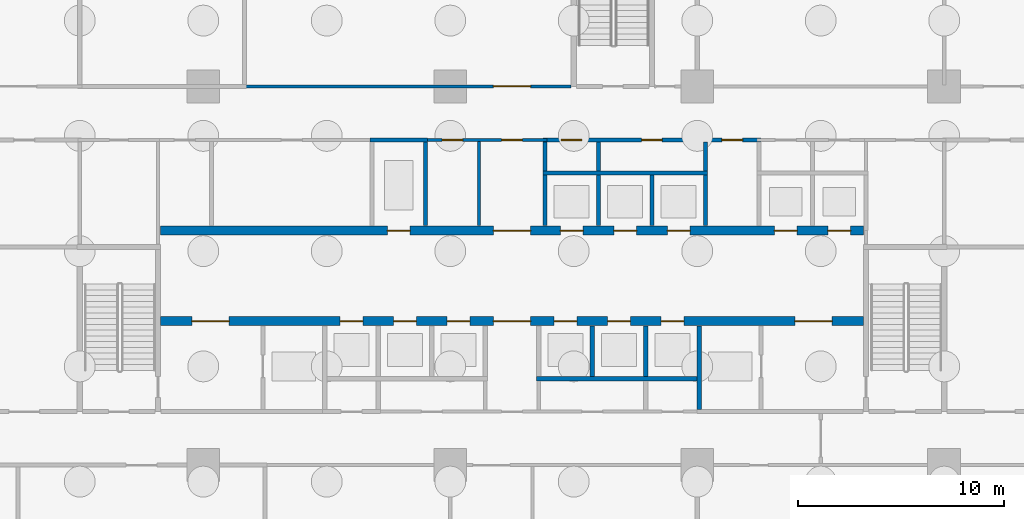
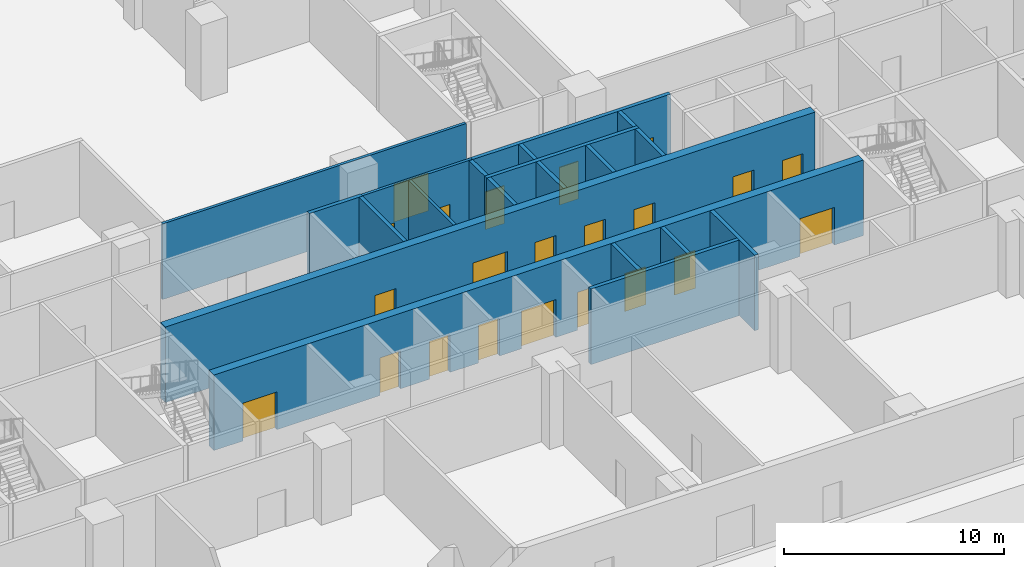
# One storey, part 16 of 27: 22 doors, 20 walls, 22 openings.
"""IFC4 building model written with IfcOpenShell, lengths in metres."""

import ifcopenshell
import ifcopenshell.guid

model = None  # the IFC model being written
_history = None  # IfcOwnerHistory: only IFC2X3 demands one
_inside = {}  # id of a spatial element -> (the spatial element, [elements in it])
_under = {}  # id of a project, library or spatial element -> (it, [spatial elements below it])
_declared = {}  # id of a project -> (the project, [libraries it declares])
_typed = {}  # id of a type object -> (the type object, [elements of that type])
_made_of = {}  # id of a material, layer set ... -> (it, [elements and type objects made of it])


def new_model(schema):
    """Start an empty IFC model of exactly this schema.

    Asked for "IFC4X3", IfcOpenShell would pick the latest addendum, in which some entities
    have other attributes; the version numbers below select the first issue.
    IFC2X3 requires an IfcOwnerHistory on every rooted entity: one is made here for all.
    """
    global model, _history
    if schema == "IFC4X3":
        model = ifcopenshell.file(schema_version=(4, 3, 0, 0))
    else:
        model = ifcopenshell.file(schema=schema)
    _inside.clear()
    _under.clear()
    _declared.clear()
    _typed.clear()
    _made_of.clear()
    _history = None
    if model.schema == "IFC2X3":
        org = make("IfcOrganization", Name="unknown")
        user = make(
            "IfcPersonAndOrganization",
            ThePerson=make("IfcPerson", FamilyName="unknown"),
            TheOrganization=org,
        )
        app = make(
            "IfcApplication",
            ApplicationDeveloper=org,
            Version="unknown",
            ApplicationFullName="unknown",
            ApplicationIdentifier="unknown",
        )
        _history = make(
            "IfcOwnerHistory",
            OwningUser=user,
            OwningApplication=app,
            ChangeAction="ADDED",
            CreationDate=0,
        )
    return model


def make(cls, **values):
    """One entity of the class cls with the attributes given. An attribute that is None is left unset."""
    return model.create_entity(
        cls, **{name: value for name, value in values.items() if value is not None}
    )


def rooted(cls, **values):
    """An entity with a GlobalId (a new one), such as an element, a storey or a relation."""
    return make(cls, GlobalId=ifcopenshell.guid.new(), OwnerHistory=_history, **values)


def si_unit(unit_type, name, prefix=None):
    """IfcSIUnit, for example si_unit("LENGTHUNIT", "METRE", prefix="MILLI")."""
    return make("IfcSIUnit", UnitType=unit_type, Prefix=prefix, Name=name)


def assignment(units):
    """IfcUnitAssignment: the units of a project."""
    return None if units is None else make("IfcUnitAssignment", Units=units)


def point(xyz):
    """IfcCartesianPoint."""
    return None if xyz is None else make("IfcCartesianPoint", Coordinates=xyz)


def direction(xyz):
    """IfcDirection."""
    return None if xyz is None else make("IfcDirection", DirectionRatios=xyz)


def frame(location, z_axis=None, x_axis=None):
    """IfcAxis2Placement3D, a coordinate frame: its origin and axes. An axis left out is left unset."""
    return make(
        "IfcAxis2Placement3D",
        Location=point(location),
        Axis=direction(z_axis),
        RefDirection=direction(x_axis),
    )


def frame_2d(location, x_axis=None):
    """IfcAxis2Placement2D, a coordinate frame in the plane: its origin and x axis."""
    return make(
        "IfcAxis2Placement2D", Location=point(location), RefDirection=direction(x_axis)
    )


def origin():
    """The frame at (0, 0, 0) with its axes left unset."""
    return frame((0.0, 0.0, 0.0))


def place(relative_to, where):
    """IfcLocalPlacement: puts the frame where relative to a parent placement (None: the world)."""
    return make(
        "IfcLocalPlacement", PlacementRelTo=relative_to, RelativePlacement=where
    )


def context(
    kind, dimensions, precision=None, world=None, true_north=None, identifier=None
):
    """IfcGeometricRepresentationContext, for example the 3D "Model" context."""
    return make(
        "IfcGeometricRepresentationContext",
        ContextIdentifier=identifier,
        ContextType=kind,
        CoordinateSpaceDimension=dimensions,
        Precision=precision,
        WorldCoordinateSystem=world,
        TrueNorth=true_north,
    )


def subcontext(parent, identifier, kind, view, scale=None):
    """IfcGeometricRepresentationSubContext, for example "Body" below "Model"."""
    return make(
        "IfcGeometricRepresentationSubContext",
        ContextIdentifier=identifier,
        ContextType=kind,
        ParentContext=parent,
        TargetScale=scale,
        TargetView=view,
    )


def project(units=None, contexts=None):
    """IfcProject with its units and contexts."""
    return rooted(
        "IfcProject",
        Name="project",
        RepresentationContexts=contexts,
        UnitsInContext=assignment(units),
    )


def spatial(cls, under=None, at=None, **own):
    """A site, building, storey or space (cls), placed at a placement, below another one or the project."""
    s = rooted(cls, ObjectPlacement=at, **own)
    if under is not None:
        _under.setdefault(under.id(), (under, []))[1].append(s)
    return s


def profile(cls, at=None, kind="AREA", **sizes):
    """A parametric profile (cls). Its sizes go by their IFC names, for example OverallWidth=200.0."""
    return make(cls, ProfileType=kind, Position=at, **sizes)


def rectangle(**sizes):
    """IfcRectangleProfileDef."""
    return profile("IfcRectangleProfileDef", **sizes)


def extrude(swept, where, along, depth):
    """IfcExtrudedAreaSolid: the profile swept, set in the frame where, extruded along a direction by depth."""
    return make(
        "IfcExtrudedAreaSolid",
        SweptArea=swept,
        Position=where,
        ExtrudedDirection=direction(along),
        Depth=depth,
    )


def shape(context_of_items, identifier, shape_type, items):
    """IfcShapeRepresentation: the items that make up one representation, for example the "Body"."""
    return make(
        "IfcShapeRepresentation",
        ContextOfItems=context_of_items,
        RepresentationIdentifier=identifier,
        RepresentationType=shape_type,
        Items=items,
    )


def material(Name=None, Category=None):
    """IfcMaterial."""
    return make("IfcMaterial", Name=Name, Category=Category)


def layer(
    of_material, thickness, ventilated=None, Name=None, Category=None, Priority=None
):
    """IfcMaterialLayer: one layer of a wall or slab, of a material (None: an air gap)."""
    return make(
        "IfcMaterialLayer",
        Material=of_material,
        LayerThickness=thickness,
        IsVentilated=ventilated,
        Name=Name,
        Category=Category,
        Priority=Priority,
    )


def layer_set(layers, Name=None):
    """IfcMaterialLayerSet."""
    return make("IfcMaterialLayerSet", MaterialLayers=layers, LayerSetName=Name)


def made_of(thing, what):
    """Note that an element or type object is made of a material, layer set ...; save() writes the relation."""
    if what is not None:
        _made_of.setdefault(what.id(), (what, []))[1].append(thing)
    return thing


def type_object(cls, material=None, **own):
    """A type object (cls), such as IfcWallType, which elements share."""
    return made_of(rooted(cls, **own), material)


def element(
    cls,
    number,
    at=None,
    inside=None,
    cuts=None,
    type_object=None,
    material=None,
    context=None,
    identifier="Body",
    shape_type=None,
    held_by="IfcProductDefinitionShape",
    body=None,
    shapes=None,
    **own,
):
    """One element of the class cls, such as IfcWall. Its Tag is "e" and its number.

    at: its placement. inside: the storey or other place that contains it. cuts: it is an
    opening in that element (IfcRelVoidsElement). A single representation is given by context,
    identifier, shape_type and body (its items); several are given by shapes. held_by: the class
    of the entity that holds the representations. save() writes the other relations.
    """
    e = rooted(cls, Tag="e%d" % number, ObjectPlacement=at, **own)
    if body is not None:
        shapes = [shape(context, identifier, shape_type, body)]
    if shapes is not None:
        e.Representation = make(held_by, Representations=shapes)
    if inside is not None:
        _inside.setdefault(inside.id(), (inside, []))[1].append(e)
    if cuts is not None:
        rooted(
            "IfcRelVoidsElement", RelatingBuildingElement=cuts, RelatedOpeningElement=e
        )
    if type_object is not None:
        _typed.setdefault(type_object.id(), (type_object, []))[1].append(e)
    return made_of(e, material)


def fill(opening, filler):
    """IfcRelFillsElement: the door or window that sits in an opening."""
    return rooted(
        "IfcRelFillsElement",
        RelatingOpeningElement=opening,
        RelatedBuildingElement=filler,
    )


def aggregate(whole, parts):
    """IfcRelAggregates: a whole, such as a stair, and the parts it consists of."""
    return rooted("IfcRelAggregates", RelatingObject=whole, RelatedObjects=parts)


def save(model, path):
    """Write the relations noted so far, then the file.

    IfcRelAggregates (storeys below a building ...), IfcRelContainedInSpatialStructure (elements
    in a storey), IfcRelDefinesByType, IfcRelAssociatesMaterial and IfcRelDeclares: one each for
    every whole, place, type object, material and project.
    """
    for whole, parts in _under.values():
        aggregate(whole, parts)
    for where, things in _inside.values():
        rooted(
            "IfcRelContainedInSpatialStructure",
            RelatedElements=things,
            RelatingStructure=where,
        )
    for kind, things in _typed.values():
        rooted("IfcRelDefinesByType", RelatedObjects=things, RelatingType=kind)
    for what, things in _made_of.values():
        rooted("IfcRelAssociatesMaterial", RelatedObjects=things, RelatingMaterial=what)
    for by, libraries in _declared.values():
        rooted("IfcRelDeclares", RelatingContext=by, RelatedDefinitions=libraries)
    model.write(path)


model = new_model("IFC4")

# Units and contexts
model_context = context("Model", 3, precision=1e-05, world=origin(), true_north=direction((0.0, 1.0)))
body_context = subcontext(model_context, "Body", "Model", "MODEL_VIEW")
ifc_project = project(units=[si_unit("LENGTHUNIT", "METRE"), si_unit("AREAUNIT", "SQUARE_METRE"), si_unit("VOLUMEUNIT", "CUBIC_METRE"), si_unit("PLANEANGLEUNIT", "RADIAN"), si_unit("MASSUNIT", "GRAM", prefix="KILO")], contexts=[model_context])

# Site, building, storey
site_placement = place(None, origin())
site = spatial("IfcSite", under=ifc_project, at=site_placement, CompositionType="ELEMENT")
building_placement = place(site_placement, origin())
building = spatial("IfcBuilding", under=site, at=building_placement, Name="Poui Terraces", CompositionType="ELEMENT")
storey_placement = place(building_placement, origin())
storey = spatial("IfcBuildingStorey", under=building, at=storey_placement, Name="L00", CompositionType="ELEMENT", Elevation=0.0)

# Wall, openings, doors
ifc_material_1 = material(Name="Concrete 80 MPa", Category="concrete")
ifc_layer_1 = layer(ifc_material_1, 0.449951171875)
ifc_layer_set_1 = layer_set([ifc_layer_1], Name="Concrete 80 MPa")
wall_type_1 = type_object("IfcWallType", Name="CORE WALL 450 80 MPA", PredefinedType="SOLIDWALL", material=ifc_layer_set_1)
wall_1_placement = place(storey_placement, frame((33.925048828125, 19.0, 0.0), z_axis=(0.0, 0.0, 1.0), x_axis=(1.0, 0.0, 0.0)))
wall_1 = element("IfcWall", 1, at=wall_1_placement, inside=storey, type_object=wall_type_1, Name="CORE WALL", PredefinedType="SOLIDWALL", context=body_context, shape_type="SweptSolid", body=[
    extrude(rectangle(XDim=34.14990234375, YDim=0.449951171875, at=frame_2d((17.074951171875, 0.0))), origin(), (0.0, 0.0, 1.0), 4.199951171875),
])
opening_1_placement = place(wall_1_placement, frame((16.175048828125, 0.0, 0.0)))
opening_1 = element("IfcOpeningElement", 2, at=opening_1_placement, cuts=wall_1, Name="Opening FDD60", PredefinedType="OPENING", context=body_context, shape_type="SweptSolid", body=[
    extrude(rectangle(XDim=1.800048828125, YDim=2.10009765625, at=frame_2d((0.89990234375, 1.050048828125))), frame((0.0, 0.23486328125, 0.0), z_axis=(0.0, -1.0, 0.0), x_axis=(1.0, 0.0, 0.0)), (0.0, 0.0, 1.0), 0.469970703125),
])
opening_2_placement = place(wall_1_placement, frame((1.52490234375, 0.0, 0.0)))
opening_2 = element("IfcOpeningElement", 3, at=opening_2_placement, cuts=wall_1, Name="Opening FDD60", PredefinedType="OPENING", context=body_context, shape_type="SweptSolid", body=[
    extrude(rectangle(XDim=1.800048828125, YDim=2.10009765625, at=frame_2d((0.89990234375, 1.050048828125))), frame((0.0, 0.23486328125, 0.0), z_axis=(0.0, -1.0, 0.0), x_axis=(1.0, 0.0, 0.0)), (0.0, 0.0, 1.0), 0.469970703125),
])
opening_3_placement = place(wall_1_placement, frame((8.72509765625, 0.0, 0.0)))
opening_3 = element("IfcOpeningElement", 4, at=opening_3_placement, cuts=wall_1, Name="Opening LD", PredefinedType="OPENING", context=body_context, shape_type="SweptSolid", body=[
    extrude(rectangle(XDim=1.10009765625, YDim=2.10009765625, at=frame_2d((0.550048828125, 1.050048828125))), frame((0.0, 0.23486328125, 0.0), z_axis=(0.0, -1.0, 0.0), x_axis=(1.0, 0.0, 0.0)), (0.0, 0.0, 1.0), 0.469970703125),
])
opening_4_placement = place(wall_1_placement, frame((11.324951171875, 0.0, 0.0)))
opening_4 = element("IfcOpeningElement", 5, at=opening_4_placement, cuts=wall_1, Name="Opening LD", PredefinedType="OPENING", context=body_context, shape_type="SweptSolid", body=[
    extrude(rectangle(XDim=1.10009765625, YDim=2.10009765625, at=frame_2d((0.550048828125, 1.050048828125))), frame((0.0, 0.23486328125, 0.0), z_axis=(0.0, -1.0, 0.0), x_axis=(1.0, 0.0, 0.0)), (0.0, 0.0, 1.0), 0.469970703125),
])
opening_5_placement = place(wall_1_placement, frame((13.925048828125, 0.0, 0.0)))
opening_5 = element("IfcOpeningElement", 6, at=opening_5_placement, cuts=wall_1, Name="Opening LD", PredefinedType="OPENING", context=body_context, shape_type="SweptSolid", body=[
    extrude(rectangle(XDim=1.10009765625, YDim=2.10009765625, at=frame_2d((0.550048828125, 1.050048828125))), frame((0.0, 0.23486328125, 0.0), z_axis=(0.0, -1.0, 0.0), x_axis=(1.0, 0.0, 0.0)), (0.0, 0.0, 1.0), 0.469970703125),
])
opening_6_placement = place(wall_1_placement, frame((19.125, 0.0, 0.0)))
opening_6 = element("IfcOpeningElement", 7, at=opening_6_placement, cuts=wall_1, Name="Opening LD", PredefinedType="OPENING", context=body_context, shape_type="SweptSolid", body=[
    extrude(rectangle(XDim=1.10009765625, YDim=2.10009765625, at=frame_2d((0.550048828125, 1.050048828125))), frame((0.0, 0.23486328125, 0.0), z_axis=(0.0, -1.0, 0.0), x_axis=(1.0, 0.0, 0.0)), (0.0, 0.0, 1.0), 0.469970703125),
])
opening_7_placement = place(wall_1_placement, frame((21.72509765625, 0.0, 0.0)))
opening_7 = element("IfcOpeningElement", 8, at=opening_7_placement, cuts=wall_1, Name="Opening LD", PredefinedType="OPENING", context=body_context, shape_type="SweptSolid", body=[
    extrude(rectangle(XDim=1.10009765625, YDim=2.10009765625, at=frame_2d((0.550048828125, 1.050048828125))), frame((0.0, 0.23486328125, 0.0), z_axis=(0.0, -1.0, 0.0), x_axis=(1.0, 0.0, 0.0)), (0.0, 0.0, 1.0), 0.469970703125),
])
opening_8_placement = place(wall_1_placement, frame((24.324951171875, 0.0, 0.0)))
opening_8 = element("IfcOpeningElement", 9, at=opening_8_placement, cuts=wall_1, Name="Opening LD", PredefinedType="OPENING", context=body_context, shape_type="SweptSolid", body=[
    extrude(rectangle(XDim=1.10009765625, YDim=2.10009765625, at=frame_2d((0.550048828125, 1.050048828125))), frame((0.0, 0.23486328125, 0.0), z_axis=(0.0, -1.0, 0.0), x_axis=(1.0, 0.0, 0.0)), (0.0, 0.0, 1.0), 0.469970703125),
])
opening_9_placement = place(wall_1_placement, frame((30.824951171875, 0.0, 0.0)))
opening_9 = element("IfcOpeningElement", 10, at=opening_9_placement, cuts=wall_1, Name="Opening FDD60", PredefinedType="OPENING", context=body_context, shape_type="SweptSolid", body=[
    extrude(rectangle(XDim=1.800048828125, YDim=2.10009765625, at=frame_2d((0.89990234375, 1.050048828125))), frame((0.0, 0.23486328125, 0.0), z_axis=(0.0, -1.0, 0.0), x_axis=(1.0, 0.0, 0.0)), (0.0, 0.0, 1.0), 0.469970703125),
])
ifc_material_2 = material(Name="Steel fire door", Category="steel")
door_type_1 = type_object("IfcDoorType", Name="DOUBLE LOBBY FIRE DOOR 1800 X 2100", OperationType="DOUBLE_DOOR_SINGLE_SWING", PredefinedType="DOOR", material=ifc_material_2)
door_1_placement = place(opening_1_placement, frame((1.800048828125, 0.0, 0.0), z_axis=(0.0, 0.0, 1.0), x_axis=(-1.0, 0.0, 0.0)))
door_1 = element("IfcDoor", 11, at=door_1_placement, inside=storey, type_object=door_type_1, Name="DOUBLE LOBBY FIRE DOOR 096", OperationType="DOUBLE_DOOR_SINGLE_SWING", OverallHeight=2.10009765625, OverallWidth=1.800048828125, PredefinedType="DOOR", context=body_context, shape_type="SweptSolid", body=[
    extrude(rectangle(XDim=1.800048828125, YDim=2.10009765625, at=frame_2d((0.89990234375, 1.050048828125))), frame((0.0, 0.02490234375, 0.0), z_axis=(0.0, -1.0, 0.0), x_axis=(1.0, 0.0, 0.0)), (0.0, 0.0, 1.0), 0.050048828125),
])
fill(opening_1, door_1)
door_2_placement = place(opening_2_placement, origin())
door_2 = element("IfcDoor", 12, at=door_2_placement, inside=storey, type_object=door_type_1, Name="DOUBLE LOBBY FIRE DOOR 097", OperationType="DOUBLE_DOOR_SINGLE_SWING", OverallHeight=2.10009765625, OverallWidth=1.800048828125, PredefinedType="DOOR", context=body_context, shape_type="SweptSolid", body=[
    extrude(rectangle(XDim=1.800048828125, YDim=2.10009765625, at=frame_2d((0.89990234375, 1.050048828125))), frame((0.0, 0.02490234375, 0.0), z_axis=(0.0, -1.0, 0.0), x_axis=(1.0, 0.0, 0.0)), (0.0, 0.0, 1.0), 0.050048828125),
])
fill(opening_2, door_2)
door_3_placement = place(opening_9_placement, origin())
door_3 = element("IfcDoor", 13, at=door_3_placement, inside=storey, type_object=door_type_1, Name="DOUBLE LOBBY FIRE DOOR 109", OperationType="DOUBLE_DOOR_SINGLE_SWING", OverallHeight=2.10009765625, OverallWidth=1.800048828125, PredefinedType="DOOR", context=body_context, shape_type="SweptSolid", body=[
    extrude(rectangle(XDim=1.800048828125, YDim=2.10009765625, at=frame_2d((0.89990234375, 1.050048828125))), frame((0.0, 0.02490234375, 0.0), z_axis=(0.0, -1.0, 0.0), x_axis=(1.0, 0.0, 0.0)), (0.0, 0.0, 1.0), 0.050048828125),
])
fill(opening_9, door_3)
ifc_material_3 = material(Name="Stainless steel sliding door", Category="steel")
door_type_2 = type_object("IfcDoorType", Name="LIFT LANDING DOOR 1100 X 2100", OperationType="DOUBLE_DOOR_SLIDING", PredefinedType="DOOR", material=ifc_material_3)
door_4_placement = place(opening_3_placement, origin())
door_4 = element("IfcDoor", 14, at=door_4_placement, inside=storey, type_object=door_type_2, Name="LANDING DOOR", OperationType="DOUBLE_DOOR_SLIDING", OverallHeight=2.10009765625, OverallWidth=1.10009765625, PredefinedType="DOOR", context=body_context, shape_type="SweptSolid", body=[
    extrude(rectangle(XDim=1.10009765625, YDim=2.10009765625, at=frame_2d((0.550048828125, 1.050048828125))), frame((0.0, 0.02490234375, 0.0), z_axis=(0.0, -1.0, 0.0), x_axis=(1.0, 0.0, 0.0)), (0.0, 0.0, 1.0), 0.050048828125),
])
fill(opening_3, door_4)
door_5_placement = place(opening_4_placement, origin())
door_5 = element("IfcDoor", 15, at=door_5_placement, inside=storey, type_object=door_type_2, Name="LANDING DOOR", OperationType="DOUBLE_DOOR_SLIDING", OverallHeight=2.10009765625, OverallWidth=1.10009765625, PredefinedType="DOOR", context=body_context, shape_type="SweptSolid", body=[
    extrude(rectangle(XDim=1.10009765625, YDim=2.10009765625, at=frame_2d((0.550048828125, 1.050048828125))), frame((0.0, 0.02490234375, 0.0), z_axis=(0.0, -1.0, 0.0), x_axis=(1.0, 0.0, 0.0)), (0.0, 0.0, 1.0), 0.050048828125),
])
fill(opening_4, door_5)
door_6_placement = place(opening_5_placement, origin())
door_6 = element("IfcDoor", 16, at=door_6_placement, inside=storey, type_object=door_type_2, Name="LANDING DOOR", OperationType="DOUBLE_DOOR_SLIDING", OverallHeight=2.10009765625, OverallWidth=1.10009765625, PredefinedType="DOOR", context=body_context, shape_type="SweptSolid", body=[
    extrude(rectangle(XDim=1.10009765625, YDim=2.10009765625, at=frame_2d((0.550048828125, 1.050048828125))), frame((0.0, 0.02490234375, 0.0), z_axis=(0.0, -1.0, 0.0), x_axis=(1.0, 0.0, 0.0)), (0.0, 0.0, 1.0), 0.050048828125),
])
fill(opening_5, door_6)
door_7_placement = place(opening_6_placement, origin())
door_7 = element("IfcDoor", 17, at=door_7_placement, inside=storey, type_object=door_type_2, Name="LANDING DOOR", OperationType="DOUBLE_DOOR_SLIDING", OverallHeight=2.10009765625, OverallWidth=1.10009765625, PredefinedType="DOOR", context=body_context, shape_type="SweptSolid", body=[
    extrude(rectangle(XDim=1.10009765625, YDim=2.10009765625, at=frame_2d((0.550048828125, 1.050048828125))), frame((0.0, 0.02490234375, 0.0), z_axis=(0.0, -1.0, 0.0), x_axis=(1.0, 0.0, 0.0)), (0.0, 0.0, 1.0), 0.050048828125),
])
fill(opening_6, door_7)
door_8_placement = place(opening_7_placement, origin())
door_8 = element("IfcDoor", 18, at=door_8_placement, inside=storey, type_object=door_type_2, Name="LANDING DOOR", OperationType="DOUBLE_DOOR_SLIDING", OverallHeight=2.10009765625, OverallWidth=1.10009765625, PredefinedType="DOOR", context=body_context, shape_type="SweptSolid", body=[
    extrude(rectangle(XDim=1.10009765625, YDim=2.10009765625, at=frame_2d((0.550048828125, 1.050048828125))), frame((0.0, 0.02490234375, 0.0), z_axis=(0.0, -1.0, 0.0), x_axis=(1.0, 0.0, 0.0)), (0.0, 0.0, 1.0), 0.050048828125),
])
fill(opening_7, door_8)
door_9_placement = place(opening_8_placement, origin())
door_9 = element("IfcDoor", 19, at=door_9_placement, inside=storey, type_object=door_type_2, Name="LANDING DOOR", OperationType="DOUBLE_DOOR_SLIDING", OverallHeight=2.10009765625, OverallWidth=1.10009765625, PredefinedType="DOOR", context=body_context, shape_type="SweptSolid", body=[
    extrude(rectangle(XDim=1.10009765625, YDim=2.10009765625, at=frame_2d((0.550048828125, 1.050048828125))), frame((0.0, 0.02490234375, 0.0), z_axis=(0.0, -1.0, 0.0), x_axis=(1.0, 0.0, 0.0)), (0.0, 0.0, 1.0), 0.050048828125),
])
fill(opening_8, door_9)

wall_2_placement = place(storey_placement, frame((33.925048828125, 23.39990234375, 0.0), z_axis=(0.0, 0.0, 1.0), x_axis=(1.0, 0.0, 0.0)))
wall_2 = element("IfcWall", 20, at=wall_2_placement, inside=storey, type_object=wall_type_1, Name="CORE WALL", PredefinedType="SOLIDWALL", context=body_context, shape_type="SweptSolid", body=[
    extrude(rectangle(XDim=34.14990234375, YDim=0.449951171875, at=frame_2d((17.074951171875, 0.0))), origin(), (0.0, 0.0, 1.0), 4.199951171875),
])
opening_10_placement = place(wall_2_placement, frame((16.175048828125, 0.0, 0.0)))
opening_10 = element("IfcOpeningElement", 21, at=opening_10_placement, cuts=wall_2, Name="Opening FDD60", PredefinedType="OPENING", context=body_context, shape_type="SweptSolid", body=[
    extrude(rectangle(XDim=1.800048828125, YDim=2.10009765625, at=frame_2d((0.89990234375, 1.050048828125))), frame((0.0, 0.23486328125, 0.0), z_axis=(0.0, -1.0, 0.0), x_axis=(1.0, 0.0, 0.0)), (0.0, 0.0, 1.0), 0.469970703125),
])
opening_11_placement = place(wall_2_placement, frame((11.02490234375, 0.0, 0.0)))
opening_11 = element("IfcOpeningElement", 22, at=opening_11_placement, cuts=wall_2, Name="Opening LD", PredefinedType="OPENING", context=body_context, shape_type="SweptSolid", body=[
    extrude(rectangle(XDim=1.10009765625, YDim=2.10009765625, at=frame_2d((0.550048828125, 1.050048828125))), frame((0.0, 0.23486328125, 0.0), z_axis=(0.0, -1.0, 0.0), x_axis=(1.0, 0.0, 0.0)), (0.0, 0.0, 1.0), 0.469970703125),
])
opening_12_placement = place(wall_2_placement, frame((19.425048828125, 0.0, 0.0)))
opening_12 = element("IfcOpeningElement", 23, at=opening_12_placement, cuts=wall_2, Name="Opening LD", PredefinedType="OPENING", context=body_context, shape_type="SweptSolid", body=[
    extrude(rectangle(XDim=1.10009765625, YDim=2.10009765625, at=frame_2d((0.550048828125, 1.050048828125))), frame((0.0, 0.23486328125, 0.0), z_axis=(0.0, -1.0, 0.0), x_axis=(1.0, 0.0, 0.0)), (0.0, 0.0, 1.0), 0.469970703125),
])
opening_13_placement = place(wall_2_placement, frame((22.02490234375, 0.0, 0.0)))
opening_13 = element("IfcOpeningElement", 24, at=opening_13_placement, cuts=wall_2, Name="Opening LD", PredefinedType="OPENING", context=body_context, shape_type="SweptSolid", body=[
    extrude(rectangle(XDim=1.10009765625, YDim=2.10009765625, at=frame_2d((0.550048828125, 1.050048828125))), frame((0.0, 0.23486328125, 0.0), z_axis=(0.0, -1.0, 0.0), x_axis=(1.0, 0.0, 0.0)), (0.0, 0.0, 1.0), 0.469970703125),
])
opening_14_placement = place(wall_2_placement, frame((24.625, 0.0, 0.0)))
opening_14 = element("IfcOpeningElement", 25, at=opening_14_placement, cuts=wall_2, Name="Opening LD", PredefinedType="OPENING", context=body_context, shape_type="SweptSolid", body=[
    extrude(rectangle(XDim=1.10009765625, YDim=2.10009765625, at=frame_2d((0.550048828125, 1.050048828125))), frame((0.0, 0.23486328125, 0.0), z_axis=(0.0, -1.0, 0.0), x_axis=(1.0, 0.0, 0.0)), (0.0, 0.0, 1.0), 0.469970703125),
])
opening_15_placement = place(wall_2_placement, frame((29.824951171875, 0.0, 0.0)))
opening_15 = element("IfcOpeningElement", 26, at=opening_15_placement, cuts=wall_2, Name="Opening LD", PredefinedType="OPENING", context=body_context, shape_type="SweptSolid", body=[
    extrude(rectangle(XDim=1.10009765625, YDim=2.10009765625, at=frame_2d((0.550048828125, 1.050048828125))), frame((0.0, 0.23486328125, 0.0), z_axis=(0.0, -1.0, 0.0), x_axis=(1.0, 0.0, 0.0)), (0.0, 0.0, 1.0), 0.469970703125),
])
opening_16_placement = place(wall_2_placement, frame((32.425048828125, 0.0, 0.0)))
opening_16 = element("IfcOpeningElement", 27, at=opening_16_placement, cuts=wall_2, Name="Opening LD", PredefinedType="OPENING", context=body_context, shape_type="SweptSolid", body=[
    extrude(rectangle(XDim=1.10009765625, YDim=2.10009765625, at=frame_2d((0.550048828125, 1.050048828125))), frame((0.0, 0.23486328125, 0.0), z_axis=(0.0, -1.0, 0.0), x_axis=(1.0, 0.0, 0.0)), (0.0, 0.0, 1.0), 0.469970703125),
])
door_10_placement = place(opening_10_placement, origin())
door_10 = element("IfcDoor", 28, at=door_10_placement, inside=storey, type_object=door_type_1, Name="DOUBLE LOBBY FIRE DOOR 095", OperationType="DOUBLE_DOOR_SINGLE_SWING", OverallHeight=2.10009765625, OverallWidth=1.800048828125, PredefinedType="DOOR", context=body_context, shape_type="SweptSolid", body=[
    extrude(rectangle(XDim=1.800048828125, YDim=2.10009765625, at=frame_2d((0.89990234375, 1.050048828125))), frame((0.0, 0.02490234375, 0.0), z_axis=(0.0, -1.0, 0.0), x_axis=(1.0, 0.0, 0.0)), (0.0, 0.0, 1.0), 0.050048828125),
])
fill(opening_10, door_10)
door_11_placement = place(opening_11_placement, origin())
door_11 = element("IfcDoor", 29, at=door_11_placement, inside=storey, type_object=door_type_2, Name="LANDING DOOR", OperationType="DOUBLE_DOOR_SLIDING", OverallHeight=2.10009765625, OverallWidth=1.10009765625, PredefinedType="DOOR", context=body_context, shape_type="SweptSolid", body=[
    extrude(rectangle(XDim=1.10009765625, YDim=2.10009765625, at=frame_2d((0.550048828125, 1.050048828125))), frame((0.0, 0.02490234375, 0.0), z_axis=(0.0, -1.0, 0.0), x_axis=(1.0, 0.0, 0.0)), (0.0, 0.0, 1.0), 0.050048828125),
])
fill(opening_11, door_11)
door_12_placement = place(opening_12_placement, origin())
door_12 = element("IfcDoor", 30, at=door_12_placement, inside=storey, type_object=door_type_2, Name="LANDING DOOR", OperationType="DOUBLE_DOOR_SLIDING", OverallHeight=2.10009765625, OverallWidth=1.10009765625, PredefinedType="DOOR", context=body_context, shape_type="SweptSolid", body=[
    extrude(rectangle(XDim=1.10009765625, YDim=2.10009765625, at=frame_2d((0.550048828125, 1.050048828125))), frame((0.0, 0.02490234375, 0.0), z_axis=(0.0, -1.0, 0.0), x_axis=(1.0, 0.0, 0.0)), (0.0, 0.0, 1.0), 0.050048828125),
])
fill(opening_12, door_12)
door_13_placement = place(opening_13_placement, origin())
door_13 = element("IfcDoor", 31, at=door_13_placement, inside=storey, type_object=door_type_2, Name="LANDING DOOR", OperationType="DOUBLE_DOOR_SLIDING", OverallHeight=2.10009765625, OverallWidth=1.10009765625, PredefinedType="DOOR", context=body_context, shape_type="SweptSolid", body=[
    extrude(rectangle(XDim=1.10009765625, YDim=2.10009765625, at=frame_2d((0.550048828125, 1.050048828125))), frame((0.0, 0.02490234375, 0.0), z_axis=(0.0, -1.0, 0.0), x_axis=(1.0, 0.0, 0.0)), (0.0, 0.0, 1.0), 0.050048828125),
])
fill(opening_13, door_13)
door_14_placement = place(opening_14_placement, origin())
door_14 = element("IfcDoor", 32, at=door_14_placement, inside=storey, type_object=door_type_2, Name="LANDING DOOR", OperationType="DOUBLE_DOOR_SLIDING", OverallHeight=2.10009765625, OverallWidth=1.10009765625, PredefinedType="DOOR", context=body_context, shape_type="SweptSolid", body=[
    extrude(rectangle(XDim=1.10009765625, YDim=2.10009765625, at=frame_2d((0.550048828125, 1.050048828125))), frame((0.0, 0.02490234375, 0.0), z_axis=(0.0, -1.0, 0.0), x_axis=(1.0, 0.0, 0.0)), (0.0, 0.0, 1.0), 0.050048828125),
])
fill(opening_14, door_14)
door_15_placement = place(opening_15_placement, origin())
door_15 = element("IfcDoor", 33, at=door_15_placement, inside=storey, type_object=door_type_2, Name="LANDING DOOR", OperationType="DOUBLE_DOOR_SLIDING", OverallHeight=2.10009765625, OverallWidth=1.10009765625, PredefinedType="DOOR", context=body_context, shape_type="SweptSolid", body=[
    extrude(rectangle(XDim=1.10009765625, YDim=2.10009765625, at=frame_2d((0.550048828125, 1.050048828125))), frame((0.0, 0.02490234375, 0.0), z_axis=(0.0, -1.0, 0.0), x_axis=(1.0, 0.0, 0.0)), (0.0, 0.0, 1.0), 0.050048828125),
])
fill(opening_15, door_15)
door_16_placement = place(opening_16_placement, origin())
door_16 = element("IfcDoor", 34, at=door_16_placement, inside=storey, type_object=door_type_2, Name="LANDING DOOR", OperationType="DOUBLE_DOOR_SLIDING", OverallHeight=2.10009765625, OverallWidth=1.10009765625, PredefinedType="DOOR", context=body_context, shape_type="SweptSolid", body=[
    extrude(rectangle(XDim=1.10009765625, YDim=2.10009765625, at=frame_2d((0.550048828125, 1.050048828125))), frame((0.0, 0.02490234375, 0.0), z_axis=(0.0, -1.0, 0.0), x_axis=(1.0, 0.0, 0.0)), (0.0, 0.0, 1.0), 0.050048828125),
])
fill(opening_16, door_16)

ifc_material_4 = material(Name="Fire-rated plasterboard wall")
ifc_layer_2 = layer(ifc_material_4, 0.14990234375)
ifc_layer_set_2 = layer_set([ifc_layer_2], Name="Fire-rated plasterboard wall")
wall_type_2 = type_object("IfcWallType", Name="CORRIDOR WALL 150", PredefinedType="PARTITIONING", material=ifc_layer_set_2)
wall_3_placement = place(storey_placement, frame((46.699951171875, 27.800048828125, 0.0), z_axis=(0.0, 0.0, 1.0), x_axis=(1.0, 0.0, 0.0)))
wall_3 = element("IfcWall", 35, at=wall_3_placement, inside=storey, type_object=wall_type_2, Name="CORRIDOR WALL 150", PredefinedType="PARTITIONING", context=body_context, shape_type="SweptSolid", body=[
    extrude(rectangle(XDim=6.0, YDim=0.14990234375, at=frame_2d((3.0, 0.0))), origin(), (0.0, 0.0, 1.0), 4.199951171875),
])
opening_17_placement = place(wall_3_placement, frame((0.89990234375, 0.0, 0.0)))
opening_17 = element("IfcOpeningElement", 36, at=opening_17_placement, cuts=wall_3, Name="Opening FD60", PredefinedType="OPENING", context=body_context, shape_type="SweptSolid", body=[
    extrude(rectangle(XDim=1.0, YDim=2.10009765625, at=frame_2d((0.5, 1.050048828125))), frame((0.0, 0.0849609375, 0.0), z_axis=(0.0, -1.0, 0.0), x_axis=(1.0, 0.0, 0.0)), (0.0, 0.0, 1.0), 0.169921875),
])
opening_18_placement = place(wall_3_placement, frame((3.800048828125, 0.0, 0.0)))
opening_18 = element("IfcOpeningElement", 37, at=opening_18_placement, cuts=wall_3, Name="Opening FDL", PredefinedType="OPENING", context=body_context, shape_type="SweptSolid", body=[
    extrude(rectangle(XDim=1.0, YDim=2.10009765625, at=frame_2d((0.5, 1.050048828125))), frame((0.0, 0.0849609375, 0.0), z_axis=(0.0, -1.0, 0.0), x_axis=(1.0, 0.0, 0.0)), (0.0, 0.0, 1.0), 0.169921875),
])
door_type_3 = type_object("IfcDoorType", Name="LOBBY FIRE DOOR 1000 X 2100", OperationType="NOTDEFINED", PredefinedType="DOOR", material=ifc_material_2)
door_17_placement = place(opening_18_placement, origin())
door_17 = element("IfcDoor", 38, at=door_17_placement, inside=storey, type_object=door_type_3, Name="LOBBY FIRE DOOR 029", OperationType="SINGLE_SWING_LEFT", OverallHeight=2.10009765625, OverallWidth=1.0, PredefinedType="DOOR", context=body_context, shape_type="SweptSolid", body=[
    extrude(rectangle(XDim=1.0, YDim=2.10009765625, at=frame_2d((0.5, 1.050048828125))), frame((0.0, 0.02490234375, 0.0), z_axis=(0.0, -1.0, 0.0), x_axis=(1.0, 0.0, 0.0)), (0.0, 0.0, 1.0), 0.050048828125),
])
fill(opening_18, door_17)
door_type_4 = type_object("IfcDoorType", Name="SERVICE ROOM FIRE DOOR 1000 X 2100", OperationType="NOTDEFINED", PredefinedType="DOOR", material=ifc_material_2)
door_18_placement = place(opening_17_placement, origin())
door_18 = element("IfcDoor", 39, at=door_18_placement, inside=storey, type_object=door_type_4, Name="SERVICE ROOM FIRE DOOR 028", OperationType="SINGLE_SWING_RIGHT", OverallHeight=2.10009765625, OverallWidth=1.0, PredefinedType="DOOR", context=body_context, shape_type="SweptSolid", body=[
    extrude(rectangle(XDim=1.0, YDim=2.10009765625, at=frame_2d((0.5, 1.050048828125))), frame((0.0, 0.02490234375, 0.0), z_axis=(0.0, -1.0, 0.0), x_axis=(1.0, 0.0, 0.0)), (0.0, 0.0, 1.0), 0.050048828125),
])
fill(opening_17, door_18)

# Wall, opening, door
wall_4_placement = place(storey_placement, frame((37.89990234375, 30.39990234375, 0.0), z_axis=(0.0, 0.0, 1.0), x_axis=(1.0, 0.0, 0.0)))
wall_4 = element("IfcWall", 40, at=wall_4_placement, inside=storey, type_object=wall_type_2, Name="CORRIDOR WALL 150", PredefinedType="PARTITIONING", context=body_context, shape_type="SweptSolid", body=[
    extrude(rectangle(XDim=15.965087890625, YDim=0.14990234375, at=frame_2d((7.982421875, 0.0))), origin(), (0.0, 0.0, 1.0), 4.199951171875),
])
opening_19_placement = place(wall_4_placement, frame((12.199951171875, 0.0, 0.0)))
opening_19 = element("IfcOpeningElement", 41, at=opening_19_placement, cuts=wall_4, Name="Opening DD180", PredefinedType="OPENING", context=body_context, shape_type="SweptSolid", body=[
    extrude(rectangle(XDim=1.800048828125, YDim=2.10009765625, at=frame_2d((0.89990234375, 1.050048828125))), frame((0.0, 0.0849609375, 0.0), z_axis=(0.0, -1.0, 0.0), x_axis=(1.0, 0.0, 0.0)), (0.0, 0.0, 1.0), 0.169921875),
])
door_type_5 = type_object("IfcDoorType", Name="DOUBLE INTERNAL DOOR 1800 X 2100", OperationType="DOUBLE_DOOR_SINGLE_SWING", PredefinedType="DOOR", material=ifc_material_2)
door_19_placement = place(opening_19_placement, origin())
door_19 = element("IfcDoor", 42, at=door_19_placement, inside=storey, type_object=door_type_5, Name="DOUBLE INTERNAL DOOR 090", OperationType="DOUBLE_DOOR_SINGLE_SWING", OverallHeight=2.10009765625, OverallWidth=1.800048828125, PredefinedType="DOOR", context=body_context, shape_type="SweptSolid", body=[
    extrude(rectangle(XDim=1.800048828125, YDim=2.10009765625, at=frame_2d((0.89990234375, 1.050048828125))), frame((0.0, 0.02490234375, 0.0), z_axis=(0.0, -1.0, 0.0), x_axis=(1.0, 0.0, 0.0)), (0.0, 0.0, 1.0), 0.050048828125),
])
fill(opening_19, door_19)

# Wall
wall_5_placement = place(storey_placement, frame((49.39990234375, 23.635009765625, 0.0), z_axis=(0.0, 0.0, 1.0), x_axis=(0.0, 1.0, 0.0)))
element("IfcWall", 43, at=wall_5_placement, inside=storey, type_object=wall_type_2, Name="CORRIDOR WALL 150", PredefinedType="PARTITIONING", context=body_context, shape_type="SweptSolid", body=[
    extrude(rectangle(XDim=4.090087890625, YDim=0.14990234375, at=frame_2d((2.044921875, 0.0))), origin(), (0.0, 0.0, 1.0), 4.199951171875),
])

# Wall, openings, doors
ifc_material_5 = material(Name="Fire-rated masonry wall", Category="masonry")
ifc_layer_3 = layer(ifc_material_5, 0.199951171875)
ifc_layer_set_3 = layer_set([ifc_layer_3], Name="Fire-rated masonry wall")
wall_type_3 = type_object("IfcWallType", Name="PLANT ROOM WALL 200", PredefinedType="PARTITIONING", material=ifc_layer_set_3)
wall_6_placement = place(storey_placement, frame((52.5, 27.800048828125, 0.0), z_axis=(0.0, 0.0, 1.0), x_axis=(1.0, 0.0, 0.0)))
wall_6 = element("IfcWall", 44, at=wall_6_placement, inside=storey, type_object=wall_type_3, Name="PLANT ROOM WALL 200", PredefinedType="PARTITIONING", context=body_context, shape_type="SweptSolid", body=[
    extrude(rectangle(XDim=10.60009765625, YDim=0.199951171875, at=frame_2d((5.300048828125, 0.0))), origin(), (0.0, 0.0, 1.0), 4.199951171875),
])
opening_20_placement = place(wall_6_placement, frame((0.89990234375, 0.0, 0.0)))
opening_20 = element("IfcOpeningElement", 45, at=opening_20_placement, cuts=wall_6, Name="Opening FD60", PredefinedType="OPENING", context=body_context, shape_type="SweptSolid", body=[
    extrude(rectangle(XDim=1.0, YDim=2.10009765625, at=frame_2d((0.5, 1.050048828125))), frame((0.0, 0.10986328125, 0.0), z_axis=(0.0, -1.0, 0.0), x_axis=(1.0, 0.0, 0.0)), (0.0, 0.0, 1.0), 0.219970703125),
])
opening_21_placement = place(wall_6_placement, frame((4.800048828125, 0.0, 0.0)))
opening_21 = element("IfcOpeningElement", 46, at=opening_21_placement, cuts=wall_6, Name="Opening FD60", PredefinedType="OPENING", context=body_context, shape_type="SweptSolid", body=[
    extrude(rectangle(XDim=1.0, YDim=2.10009765625, at=frame_2d((0.5, 1.050048828125))), frame((0.0, 0.10986328125, 0.0), z_axis=(0.0, -1.0, 0.0), x_axis=(1.0, 0.0, 0.0)), (0.0, 0.0, 1.0), 0.219970703125),
])
opening_22_placement = place(wall_6_placement, frame((8.699951171875, 0.0, 0.0)))
opening_22 = element("IfcOpeningElement", 47, at=opening_22_placement, cuts=wall_6, Name="Opening FD60", PredefinedType="OPENING", context=body_context, shape_type="SweptSolid", body=[
    extrude(rectangle(XDim=1.0, YDim=2.10009765625, at=frame_2d((0.5, 1.050048828125))), frame((0.0, 0.10986328125, 0.0), z_axis=(0.0, -1.0, 0.0), x_axis=(1.0, 0.0, 0.0)), (0.0, 0.0, 1.0), 0.219970703125),
])
door_20_placement = place(opening_20_placement, origin())
door_20 = element("IfcDoor", 48, at=door_20_placement, inside=storey, type_object=door_type_4, Name="SERVICE ROOM FIRE DOOR 030", OperationType="SINGLE_SWING_LEFT", OverallHeight=2.10009765625, OverallWidth=1.0, PredefinedType="DOOR", context=body_context, shape_type="SweptSolid", body=[
    extrude(rectangle(XDim=1.0, YDim=2.10009765625, at=frame_2d((0.5, 1.050048828125))), frame((0.0, 0.02490234375, 0.0), z_axis=(0.0, -1.0, 0.0), x_axis=(1.0, 0.0, 0.0)), (0.0, 0.0, 1.0), 0.050048828125),
])
fill(opening_20, door_20)
door_21_placement = place(opening_21_placement, origin())
door_21 = element("IfcDoor", 49, at=door_21_placement, inside=storey, type_object=door_type_4, Name="SERVICE ROOM FIRE DOOR 032", OperationType="SINGLE_SWING_RIGHT", OverallHeight=2.10009765625, OverallWidth=1.0, PredefinedType="DOOR", context=body_context, shape_type="SweptSolid", body=[
    extrude(rectangle(XDim=1.0, YDim=2.10009765625, at=frame_2d((0.5, 1.050048828125))), frame((0.0, 0.02490234375, 0.0), z_axis=(0.0, -1.0, 0.0), x_axis=(1.0, 0.0, 0.0)), (0.0, 0.0, 1.0), 0.050048828125),
])
fill(opening_21, door_21)
door_22_placement = place(opening_22_placement, origin())
door_22 = element("IfcDoor", 50, at=door_22_placement, inside=storey, type_object=door_type_4, Name="SERVICE ROOM FIRE DOOR 034", OperationType="SINGLE_SWING_LEFT", OverallHeight=2.10009765625, OverallWidth=1.0, PredefinedType="DOOR", context=body_context, shape_type="SweptSolid", body=[
    extrude(rectangle(XDim=1.0, YDim=2.10009765625, at=frame_2d((0.5, 1.050048828125))), frame((0.0, 0.02490234375, 0.0), z_axis=(0.0, -1.0, 0.0), x_axis=(1.0, 0.0, 0.0)), (0.0, 0.0, 1.0), 0.050048828125),
])
fill(opening_22, door_22)

# Walls
for number, where, z_axis, x_axis, name in (
    (51, (52.60009765625, 26.300048828125, 0.0), (0.0, 0.0, 1.0), (0.0, 1.0, 0.0), "PLANT ROOM WALL 200"),
    (52, (55.199951171875, 26.300048828125, 0.0), (0.0, 0.0, 1.0), (0.0, 1.0, 0.0), "PLANT ROOM WALL 200"),
    (53, (60.39990234375, 26.300048828125, 0.0), (0.0, 0.0, 1.0), (0.0, 1.0, 0.0), "PLANT ROOM WALL 200"),
):
    element("IfcWall", number, at=place(storey_placement, frame(where, z_axis=z_axis, x_axis=x_axis)), inside=storey, type_object=wall_type_3, Name=name, PredefinedType="PARTITIONING", context=body_context, shape_type="SweptSolid", body=[
        extrude(rectangle(XDim=1.39990234375, YDim=0.199951171875, at=frame_2d((0.699951171875, 0.0))), origin(), (0.0, 0.0, 1.0), 4.199951171875),
    ])
ifc_material_6 = material(Name="Fire-rated masonry shaft wall", Category="masonry")
ifc_layer_4 = layer(ifc_material_6, 0.199951171875)
ifc_layer_set_4 = layer_set([ifc_layer_4], Name="Fire-rated masonry shaft wall")
wall_type_4 = type_object("IfcWallType", Name="SHAFT WALL 200", PredefinedType="PARTITIONING", material=ifc_layer_set_4)
wall_7_placement = place(storey_placement, frame((52.199951171875, 16.199951171875, 0.0), z_axis=(0.0, 0.0, 1.0), x_axis=(1.0, 0.0, 0.0)))
element("IfcWall", 54, at=wall_7_placement, inside=storey, type_object=wall_type_4, Name="SHAFT WALL 200", PredefinedType="PARTITIONING", context=body_context, shape_type="SweptSolid", body=[
    extrude(rectangle(XDim=7.800048828125, YDim=0.199951171875, at=frame_2d((3.89990234375, 0.0))), origin(), (0.0, 0.0, 1.0), 4.199951171875),
])
wall_8_placement = place(storey_placement, frame((52.5, 26.199951171875, 0.0), z_axis=(0.0, 0.0, 1.0), x_axis=(1.0, 0.0, 0.0)))
element("IfcWall", 55, at=wall_8_placement, inside=storey, type_object=wall_type_4, Name="SHAFT WALL 200", PredefinedType="PARTITIONING", context=body_context, shape_type="SweptSolid", body=[
    extrude(rectangle(XDim=8.0, YDim=0.199951171875, at=frame_2d((4.0, 0.0))), origin(), (0.0, 0.0, 1.0), 4.199951171875),
])
wall_9_placement = place(storey_placement, frame((44.10009765625, 27.800048828125, 0.0), z_axis=(0.0, 0.0, 1.0), x_axis=(1.0, 0.0, 0.0)))
element("IfcWall", 56, at=wall_9_placement, inside=storey, type_object=wall_type_4, Name="SHAFT WALL 200", PredefinedType="PARTITIONING", context=body_context, shape_type="SweptSolid", body=[
    extrude(rectangle(XDim=2.7998046875, YDim=0.199951171875, at=frame_2d((1.39990234375, 0.0))), origin(), (0.0, 0.0, 1.0), 4.199951171875),
])
wall_10_placement = place(storey_placement, frame((46.800048828125, 23.635009765625, 0.0), z_axis=(0.0, 0.0, 1.0), x_axis=(0.0, 1.0, 0.0)))
element("IfcWall", 57, at=wall_10_placement, inside=storey, type_object=wall_type_4, Name="SHAFT WALL 200", PredefinedType="PARTITIONING", context=body_context, shape_type="SweptSolid", body=[
    extrude(rectangle(XDim=4.06494140625, YDim=0.199951171875, at=frame_2d((2.032470703125, 0.0))), origin(), (0.0, 0.0, 1.0), 4.199951171875),
])
wall_11_placement = place(storey_placement, frame((52.60009765625, 23.635009765625, 0.0), z_axis=(0.0, 0.0, 1.0), x_axis=(0.0, 1.0, 0.0)))
element("IfcWall", 58, at=wall_11_placement, inside=storey, type_object=wall_type_4, Name="SHAFT WALL 200", PredefinedType="PARTITIONING", context=body_context, shape_type="SweptSolid", body=[
    extrude(rectangle(XDim=2.465087890625, YDim=0.199951171875, at=frame_2d((1.232421875, 0.0))), origin(), (0.0, 0.0, 1.0), 4.199951171875),
])
wall_12_placement = place(storey_placement, frame((54.89990234375, 16.300048828125, 0.0), z_axis=(0.0, 0.0, 1.0), x_axis=(0.0, 1.0, 0.0)))
element("IfcWall", 59, at=wall_12_placement, inside=storey, type_object=wall_type_4, Name="SHAFT WALL 200", PredefinedType="PARTITIONING", context=body_context, shape_type="SweptSolid", body=[
    extrude(rectangle(XDim=2.46484375, YDim=0.199951171875, at=frame_2d((1.232421875, 0.0))), origin(), (0.0, 0.0, 1.0), 4.199951171875),
])
wall_13_placement = place(storey_placement, frame((55.199951171875, 23.635009765625, 0.0), z_axis=(0.0, 0.0, 1.0), x_axis=(0.0, 1.0, 0.0)))
element("IfcWall", 60, at=wall_13_placement, inside=storey, type_object=wall_type_4, Name="SHAFT WALL 200", PredefinedType="PARTITIONING", context=body_context, shape_type="SweptSolid", body=[
    extrude(rectangle(XDim=2.465087890625, YDim=0.199951171875, at=frame_2d((1.232421875, 0.0))), origin(), (0.0, 0.0, 1.0), 4.199951171875),
])
wall_14_placement = place(storey_placement, frame((57.5, 16.300048828125, 0.0), z_axis=(0.0, 0.0, 1.0), x_axis=(0.0, 1.0, 0.0)))
element("IfcWall", 61, at=wall_14_placement, inside=storey, type_object=wall_type_4, Name="SHAFT WALL 200", PredefinedType="PARTITIONING", context=body_context, shape_type="SweptSolid", body=[
    extrude(rectangle(XDim=2.46484375, YDim=0.199951171875, at=frame_2d((1.232421875, 0.0))), origin(), (0.0, 0.0, 1.0), 4.199951171875),
])
wall_15_placement = place(storey_placement, frame((57.800048828125, 23.635009765625, 0.0), z_axis=(0.0, 0.0, 1.0), x_axis=(0.0, 1.0, 0.0)))
element("IfcWall", 62, at=wall_15_placement, inside=storey, type_object=wall_type_4, Name="SHAFT WALL 200", PredefinedType="PARTITIONING", context=body_context, shape_type="SweptSolid", body=[
    extrude(rectangle(XDim=2.465087890625, YDim=0.199951171875, at=frame_2d((1.232421875, 0.0))), origin(), (0.0, 0.0, 1.0), 4.199951171875),
])
wall_16_placement = place(storey_placement, frame((60.10009765625, 14.699951171875, 0.0), z_axis=(0.0, 0.0, 1.0), x_axis=(0.0, 1.0, 0.0)))
element("IfcWall", 63, at=wall_16_placement, inside=storey, type_object=wall_type_4, Name="SHAFT WALL 200", PredefinedType="PARTITIONING", context=body_context, shape_type="SweptSolid", body=[
    extrude(rectangle(XDim=4.06494140625, YDim=0.199951171875, at=frame_2d((2.032470703125, 0.0))), origin(), (0.0, 0.0, 1.0), 4.199951171875),
])
wall_17_placement = place(storey_placement, frame((60.39990234375, 23.635009765625, 0.0), z_axis=(0.0, 0.0, 1.0), x_axis=(0.0, 1.0, 0.0)))
element("IfcWall", 64, at=wall_17_placement, inside=storey, type_object=wall_type_4, Name="SHAFT WALL 200", PredefinedType="PARTITIONING", context=body_context, shape_type="SweptSolid", body=[
    extrude(rectangle(XDim=2.465087890625, YDim=0.199951171875, at=frame_2d((1.232421875, 0.0))), origin(), (0.0, 0.0, 1.0), 4.199951171875),
])

save(model, "model.ifc")
